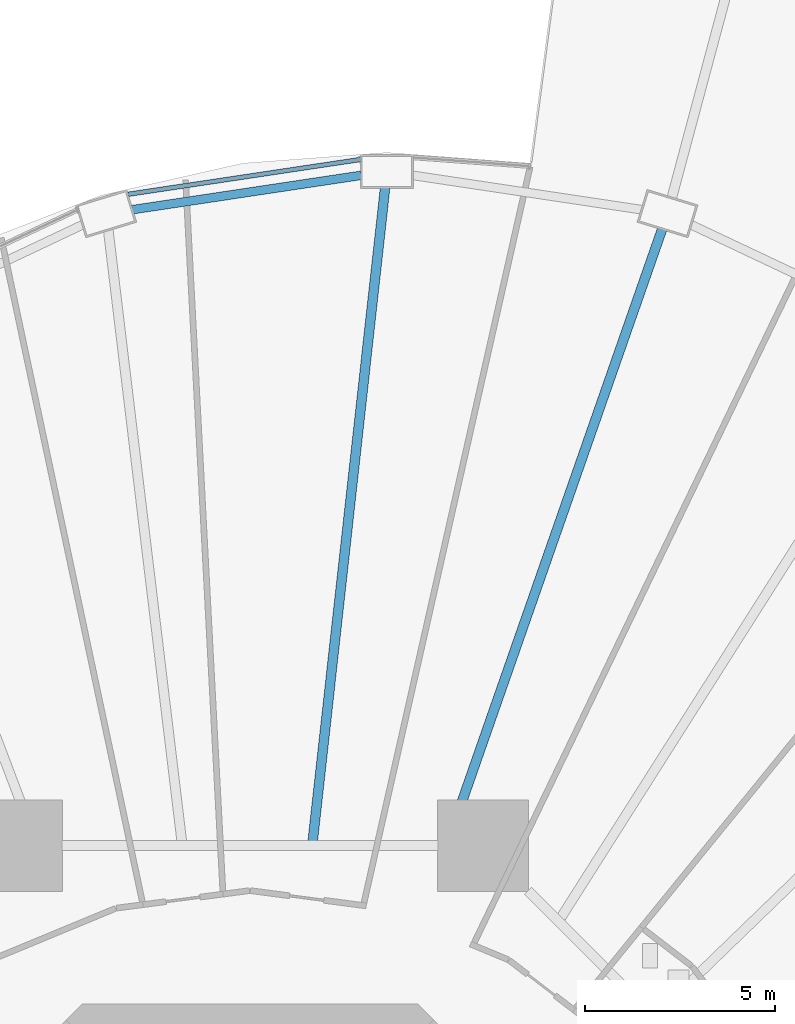
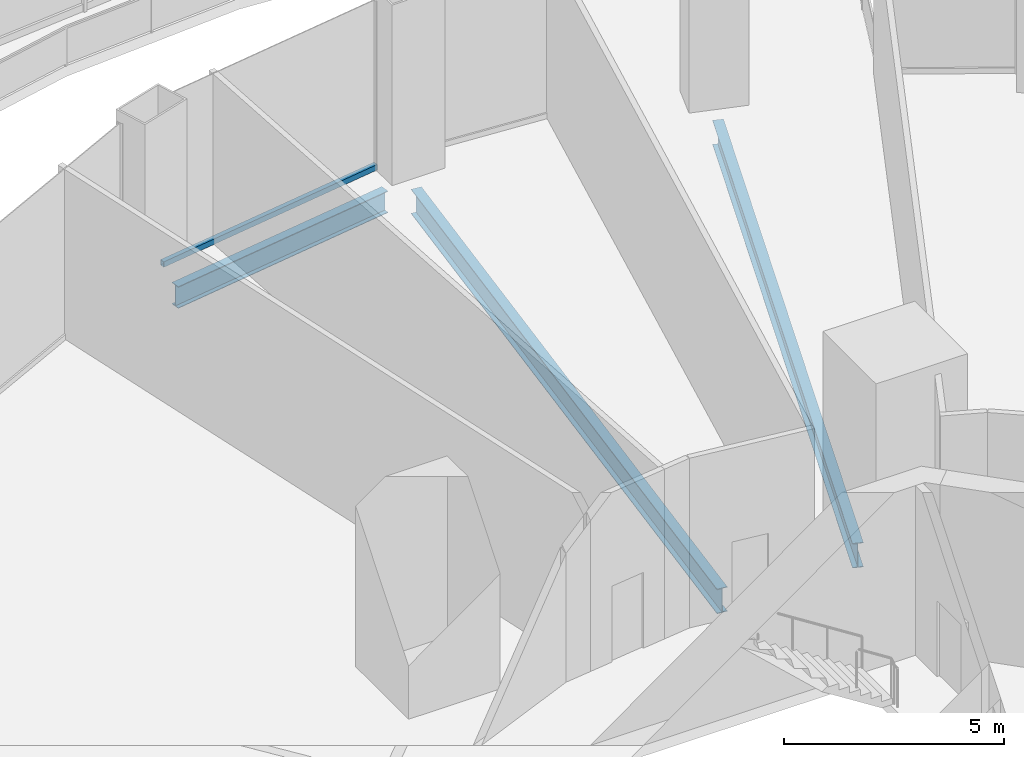
# One storey, part 33 of 47: 3 beams, 1 member, 1 element without a shape of its own.
"""IFC4 building model written with IfcOpenShell, lengths in metres."""

from ifc_helpers import new_model, si_unit, direction, frame, origin, origin_2d, place, context, subcontext, project, spatial, hollow_rectangle, i_section, extrude, material, layer, layer_set, material_profile, profile_set, type_object, element, aggregate, save


model = new_model("IFC4")

# Units and contexts
model_context = context("Model", 3, precision=1e-05, world=origin(), true_north=direction((0.0, 1.0)))
body_context = subcontext(model_context, "Body", "Model", "MODEL_VIEW")
ifc_project = project(units=[si_unit("LENGTHUNIT", "METRE"), si_unit("AREAUNIT", "SQUARE_METRE"), si_unit("VOLUMEUNIT", "CUBIC_METRE"), si_unit("PLANEANGLEUNIT", "RADIAN"), si_unit("MASSUNIT", "GRAM", prefix="KILO")], contexts=[model_context])

# Site, building, storey
site_placement = place(None, origin())
site = spatial("IfcSite", under=ifc_project, at=site_placement, CompositionType="ELEMENT")
building_placement = place(site_placement, origin())
building = spatial("IfcBuilding", under=site, at=building_placement, Name="Nagisa Residences", CompositionType="ELEMENT")
storey_placement = place(building_placement, frame((0.0, 0.0, 7.0)))
storey = spatial("IfcBuildingStorey", under=building, at=storey_placement, Name="L01", CompositionType="ELEMENT", Elevation=7.0)

# Curtain wall, member
ifc_material_1 = material(Name="Stainless steel curtain wall system", Category="steel")
ifc_layer = layer(ifc_material_1, 0.159912109375)
ifc_layer_set = layer_set([ifc_layer], Name="CW6 CURTAIN WALL")
curtain_wall_type = type_object("IfcCurtainWallType", Name="CW6 CURTAIN WALL", PredefinedType="NOTDEFINED", material=ifc_layer_set)
curtain_wall_placement = place(storey_placement, origin())
curtain_wall = element("IfcCurtainWall", 1, at=curtain_wall_placement, inside=storey, type_object=curtain_wall_type, Name="cw:CW6:L01:12", PredefinedType="NOTDEFINED")
ifc_material_2 = material(Name="Stainless steel", Category="steel")
ifc_material_profile_1 = material_profile(ifc_material_2, hollow_rectangle(XDim=0.1201171875, YDim=0.14990234375, WallThickness=0.008056640625, at=origin_2d()), Name="CW6 TRANSOM 120x150")
ifc_profile_set_1 = profile_set([ifc_material_profile_1], Name="Stainless steel")
member_type = type_object("IfcMemberType", Name="CW6 TRANSOM 120x150", PredefinedType="USERDEFINED", material=ifc_profile_set_1)
member_placement = place(storey_placement, frame((2.919677734375, 32.817138671875, 0.074951171875), z_axis=(-0.988964976725, -0.148149501559, 0.0), x_axis=(0.148149501559, -0.988964976725, 0.0)))
member = element("IfcMember", 2, at=member_placement, type_object=member_type, Name="CW6 transom", ObjectType="TRANSOM", PredefinedType="USERDEFINED", context=body_context, shape_type="SweptSolid", body=[
    extrude(hollow_rectangle(XDim=0.1201171875, YDim=0.14990234375, WallThickness=0.008056640625, at=origin_2d()), origin(), (0.0, 0.0, 1.0), 6.189697265625),
])
aggregate(curtain_wall, [member])

# Beams
ifc_material_3 = material(Name="Steel ASTM A572 Gr 50", Category="steel")
ifc_material_profile_2 = material_profile(ifc_material_3, i_section(OverallWidth=0.22802734375, OverallDepth=0.60302734375, WebThickness=0.010498046875, FlangeThickness=0.014892578125, at=origin_2d()), Name="W610x101")
ifc_profile_set_2 = profile_set([ifc_material_profile_2], Name="Steel ASTM A572 Gr 50")
beam_type_1 = type_object("IfcBeamType", Name="Perimeter ring beam W610x101", PredefinedType="BEAM", material=ifc_profile_set_2)
beam_1_placement = place(storey_placement, frame((2.919677734375, 32.39794921875, -0.6015625), z_axis=(-0.988914559467, -0.14848566959, 0.0), x_axis=(0.14848566959, -0.988914559467, 0.0)))
element("IfcBeam", 3, at=beam_1_placement, inside=storey, type_object=beam_type_1, Name="beam:L01:pb07", PredefinedType="BEAM", context=body_context, shape_type="SweptSolid", body=[
    extrude(i_section(OverallWidth=0.22802734375, OverallDepth=0.60302734375, WebThickness=0.010498046875, FlangeThickness=0.014892578125, at=origin_2d()), origin(), (0.0, 0.0, 1.0), 6.08349609375),
])
ifc_material_4 = material(Name="Steel ASTM A572 Gr 50", Category="steel")
ifc_material_profile_3 = material_profile(ifc_material_4, i_section(OverallWidth=0.25390625, OverallDepth=0.68408203125, WebThickness=0.012451171875, FlangeThickness=0.018798828125, at=origin_2d()), Name="W690x140")
ifc_profile_set_3 = profile_set([ifc_material_profile_3], Name="Steel ASTM A572 Gr 50")
beam_type_2 = type_object("IfcBeamType", Name="Radial beam W690x140", PredefinedType="BEAM", material=ifc_profile_set_3)
beam_2_placement = place(storey_placement, frame((10.834228515625, 30.986328125, -0.64208984375), z_axis=(-0.330051195485, -0.943963033364, 0.0), x_axis=(0.943963033364, -0.330051195485, 0.0)))
element("IfcBeam", 4, at=beam_2_placement, inside=storey, type_object=beam_type_2, Name="beam:L01:rb06", PredefinedType="BEAM", context=body_context, shape_type="SweptSolid", body=[
    extrude(i_section(OverallWidth=0.25390625, OverallDepth=0.68408203125, WebThickness=0.012451171875, FlangeThickness=0.018798828125, at=origin_2d()), origin(), (0.0, 0.0, 1.0), 17.045654296875),
])
beam_3_placement = place(storey_placement, frame((3.55224609375, 32.06982421875, -0.64208984375), z_axis=(-0.110088818647, -0.993921753464, 0.0), x_axis=(0.993921753464, -0.110088818647, 0.0)))
element("IfcBeam", 5, at=beam_3_placement, inside=storey, type_object=beam_type_2, Name="beam:L01:rb07", PredefinedType="BEAM", context=body_context, shape_type="SweptSolid", body=[
    extrude(i_section(OverallWidth=0.25390625, OverallDepth=0.68408203125, WebThickness=0.012451171875, FlangeThickness=0.018798828125, at=origin_2d()), origin(), (0.0, 0.0, 1.0), 17.280029296875),
])

save(model, "model.ifc")
